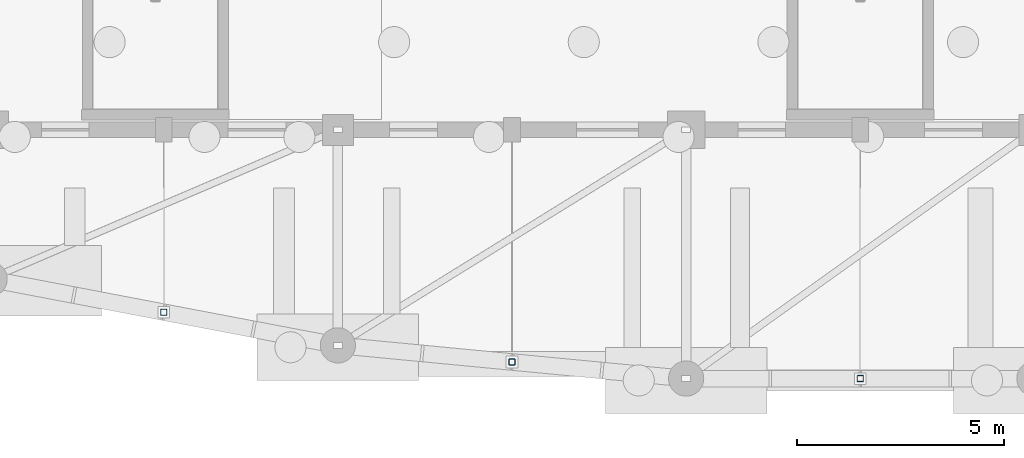
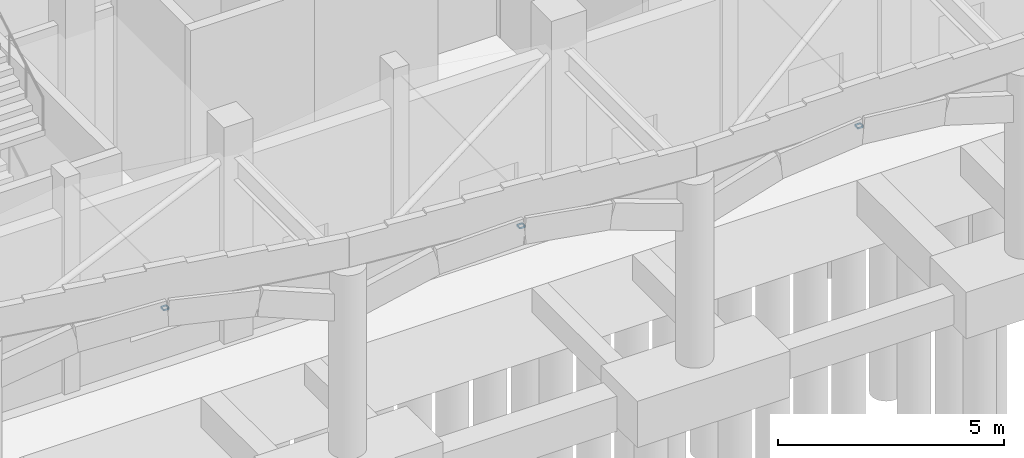
# One storey, part 22 of 60: 3 members.
"""IFC4 building model written with IfcOpenShell, lengths in metres."""

from ifc_helpers import new_model, si_unit, direction, frame, origin, origin_2d, place, context, subcontext, project, spatial, hollow_rectangle, extrude, material, material_profile, profile_set, type_object, element, save


model = new_model("IFC4")

# Units and contexts
model_context = context("Model", 3, precision=1e-05, world=origin(), true_north=direction((0.0, 1.0)))
body_context = subcontext(model_context, "Body", "Model", "MODEL_VIEW")
ifc_project = project(units=[si_unit("LENGTHUNIT", "METRE"), si_unit("AREAUNIT", "SQUARE_METRE"), si_unit("VOLUMEUNIT", "CUBIC_METRE"), si_unit("PLANEANGLEUNIT", "RADIAN"), si_unit("MASSUNIT", "GRAM", prefix="KILO")], contexts=[model_context])

# Site, building, storey
site_placement = place(None, origin())
site = spatial("IfcSite", under=ifc_project, at=site_placement, CompositionType="ELEMENT")
building_placement = place(site_placement, origin())
building = spatial("IfcBuilding", under=site, at=building_placement, Name="Trellovar Central Fire Station", CompositionType="ELEMENT")
storey_placement = place(building_placement, origin())
storey = spatial("IfcBuildingStorey", under=building, at=storey_placement, Name="L01", CompositionType="ELEMENT", Elevation=0.0)

# Members
ifc_material = material(Name="Steel ASTM A500 Grade C", Category="steel")
ifc_material_profile = material_profile(ifc_material, hollow_rectangle(XDim=0.15234375, YDim=0.15234375, WallThickness=0.0087890625, InnerFilletRadius=0.0087890625, OuterFilletRadius=0.017822265625, at=origin_2d()), Name="HSS6X6X3/8")
ifc_profile_set = profile_set([ifc_material_profile], Name="Steel ASTM A500 Grade C")
member_type = type_object("IfcMemberType", Name="MEM-ST1", PredefinedType="STRUT", material=ifc_profile_set)
for number, where, z_axis, x_axis, name in (
    (1, (109.699951171875, 4.60009765625, 4.800048828125), (0.0, 0.0, -1.0), (1.0, 0.0, 0.0), "East concave boulevard parabolic arch 1 keystone post"),
    (2, (118.10009765625, 3.39990234375, 4.800048828125), (0.0, 0.0, -1.0), (1.0, 0.0, 0.0), "East concave boulevard parabolic arch 2 keystone post"),
    (3, (126.5, 3.0, 4.800048828125), (0.0, 0.0, -1.0), (1.0, 0.0, 0.0), "East concave boulevard parabolic arch 3 keystone post"),
):
    element("IfcMember", number, at=place(storey_placement, frame(where, z_axis=z_axis, x_axis=x_axis)), inside=storey, type_object=member_type, Name=name, PredefinedType="STRUT", context=body_context, shape_type="SweptSolid", body=[
        extrude(hollow_rectangle(XDim=0.15234375, YDim=0.15234375, WallThickness=0.0087890625, InnerFilletRadius=0.0087890625, OuterFilletRadius=0.017822265625, at=origin_2d()), origin(), (0.0, 0.0, 1.0), 0.050048828125),
    ])

save(model, "model.ifc")
